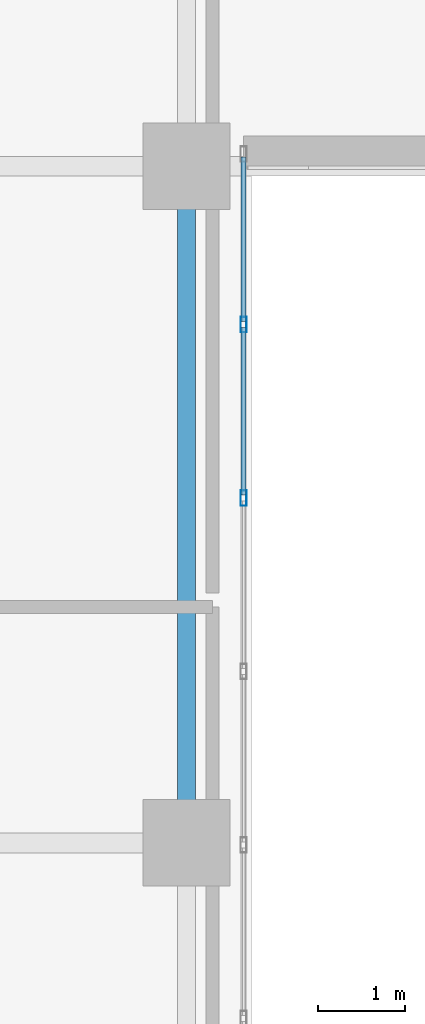
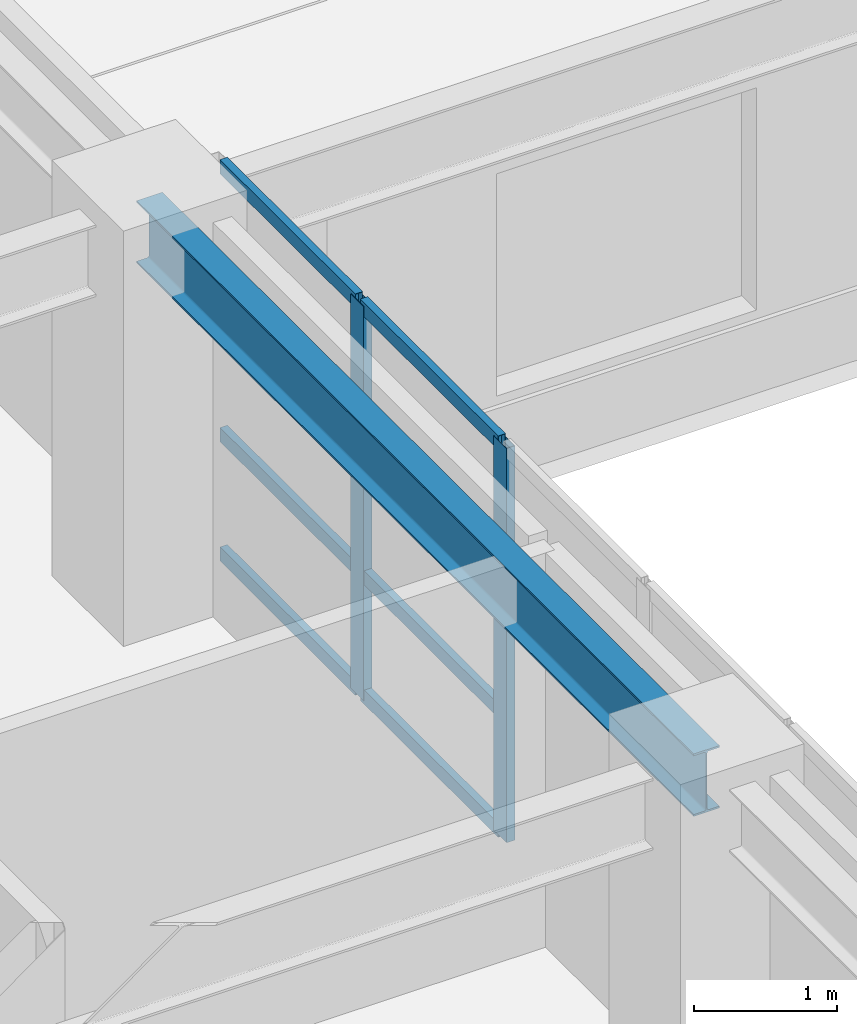
# One storey, part 7 of 37: 8 members, 1 beam, 1 element without a shape of its own.
"""IFC4 building model written with IfcOpenShell, lengths in metres."""

from ifc_helpers import new_model, si_unit, direction, frame, origin, origin_2d, place, context, subcontext, project, spatial, hollow_rectangle, i_section, extrude, source, transform, mapped, material, layer, layer_set, material_profile, profile_set, type_object, type_shapes, element, aggregate, save


model = new_model("IFC4")

# Units and contexts
model_context = context("Model", 3, precision=1e-05, world=origin(), true_north=direction((0.0, 1.0)))
body_context = subcontext(model_context, "Body", "Model", "MODEL_VIEW")
ifc_project = project(units=[si_unit("LENGTHUNIT", "METRE"), si_unit("AREAUNIT", "SQUARE_METRE"), si_unit("VOLUMEUNIT", "CUBIC_METRE"), si_unit("PLANEANGLEUNIT", "RADIAN"), si_unit("MASSUNIT", "GRAM", prefix="KILO")], contexts=[model_context])

# Site, building, storey
site_placement = place(None, origin())
site = spatial("IfcSite", under=ifc_project, at=site_placement, CompositionType="ELEMENT")
building_placement = place(site_placement, origin())
building = spatial("IfcBuilding", under=site, at=building_placement, Name="Tolvann Quenvar Hotel", CompositionType="ELEMENT")
storey_placement = place(building_placement, frame((0.0, 0.0, 53.300048828125)))
storey = spatial("IfcBuildingStorey", under=building, at=storey_placement, Name="L12", CompositionType="ELEMENT", Elevation=53.300048828125)

# Beam
ifc_material_1 = material(Name="Steel Grade 350", Category="steel")
ifc_material_profile_1 = material_profile(ifc_material_1, i_section(OverallWidth=0.208984375, OverallDepth=0.532958984375, WebThickness=0.01025390625, FlangeThickness=0.015625, FilletRadius=0.013916015625, at=origin_2d()), Name="530UB92")
ifc_profile_set_1 = profile_set([ifc_material_profile_1], Name="Steel Grade 350")
beam_type = type_object("IfcBeamType", Name="BM_GIRD_530UB92", PredefinedType="BEAM", material=ifc_profile_set_1)
shared_shape_1 = source(origin(), body_context, "Body", "SweptSolid", [
    extrude(i_section(OverallWidth=0.208984375, OverallDepth=0.532958984375, WebThickness=0.01025390625, FlangeThickness=0.015625, FilletRadius=0.013916015625, at=origin_2d()), origin(), (0.0, 0.0, 1.0), 7.800048828125),
])
type_shapes(beam_type, [shared_shape_1])
beam_placement = place(storey_placement, frame((22.050048828125, 8.199951171875, 3.103515625), z_axis=(0.0, 1.0, 0.0), x_axis=(-1.0, 0.0, 0.0)))
element("IfcBeam", 1, at=beam_placement, inside=storey, type_object=beam_type, Name="BM-L12-NS-E3-E4", PredefinedType="BEAM", context=body_context, shape_type="MappedRepresentation", body=[
    mapped(shared_shape_1, transform((0.0, 0.0, 0.0), x_axis=(1.0, 0.0, 0.0), y_axis=(0.0, 1.0, 0.0), z_axis=(0.0, 0.0, 1.0), scale=1.0)),
])

# Curtain wall, members
ifc_material_2 = material(Name="Thermally broken anodised architectural aluminium 6063-T6 and laminated low-E glass", Category="aluminium")
ifc_layer = layer(ifc_material_2, 0.179931640625)
ifc_layer_set = layer_set([ifc_layer], Name="Thermally broken anodised architectural aluminium 6063-T6 and laminated low-E glass")
curtain_wall_type = type_object("IfcCurtainWallType", Name="CW_SYS_SLOT_03", PredefinedType="USERDEFINED", material=ifc_layer_set)
curtain_wall_placement = place(storey_placement, origin())
curtain_wall = element("IfcCurtainWall", 2, at=curtain_wall_placement, inside=storey, type_object=curtain_wall_type, Name="Curtain Wall CW-SLOT-03 (CWR-L12-E05)", ObjectType="UNITISED CURTAIN WALL", PredefinedType="USERDEFINED")
ifc_material_3 = material(Name="Anodised architectural aluminium 6063-T6 framing", Category="aluminium")
ifc_material_profile_2 = material_profile(ifc_material_3, hollow_rectangle(XDim=0.06005859375, YDim=0.1201171875, WallThickness=0.00341796875, at=origin_2d()), Name="120x60x3.5RHS")
ifc_profile_set_2 = profile_set([ifc_material_profile_2], Name="Anodised architectural aluminium 6063-T6 framing")
member_type_1 = type_object("IfcMemberType", Name="CW_TRAN_120x60", PredefinedType="USERDEFINED", material=ifc_profile_set_2)
shared_shape_2 = source(origin(), body_context, "Body", "SweptSolid", [
    extrude(hollow_rectangle(XDim=0.06005859375, YDim=0.1201171875, WallThickness=0.00341796875, at=origin_2d()), origin(), (0.0, 0.0, 1.0), 1.929931640625),
])
member_1_placement = place(storey_placement, frame((22.7099609375, 12.2099609375, 0.030029296875), z_axis=(0.0, 1.0, 0.0), x_axis=(-1.0, 0.0, 0.0)))
member_1 = element("IfcMember", 3, at=member_1_placement, type_object=member_type_1, Name="CW-SLOT-03 transom 7.1", ObjectType="TRANSOM", PredefinedType="USERDEFINED", context=body_context, shape_type="MappedRepresentation", body=[
    mapped(shared_shape_2, transform((0.0, 0.0, 0.0), x_axis=(1.0, 0.0, 0.0), y_axis=(0.0, 1.0, 0.0), z_axis=(0.0, 0.0, 1.0), scale=1.0)),
])
member_2_placement = place(storey_placement, frame((22.7099609375, 12.2099609375, 1.050048828125), z_axis=(0.0, 1.0, 0.0), x_axis=(-1.0, 0.0, 0.0)))
member_2 = element("IfcMember", 4, at=member_2_placement, type_object=member_type_1, Name="CW-SLOT-03 transom 7.2", ObjectType="TRANSOM", PredefinedType="USERDEFINED", context=body_context, shape_type="MappedRepresentation", body=[
    mapped(shared_shape_2, transform((0.0, 0.0, 0.0), x_axis=(1.0, 0.0, 0.0), y_axis=(0.0, 1.0, 0.0), z_axis=(0.0, 0.0, 1.0), scale=1.0)),
])
member_3_placement = place(storey_placement, frame((22.7099609375, 12.2099609375, 3.33984375), z_axis=(0.0, 1.0, 0.0), x_axis=(-1.0, 0.0, 0.0)))
member_3 = element("IfcMember", 5, at=member_3_placement, type_object=member_type_1, Name="CW-SLOT-03 transom 7.3", ObjectType="TRANSOM", PredefinedType="USERDEFINED", context=body_context, shape_type="MappedRepresentation", body=[
    mapped(shared_shape_2, transform((0.0, 0.0, 0.0), x_axis=(1.0, 0.0, 0.0), y_axis=(0.0, 1.0, 0.0), z_axis=(0.0, 0.0, 1.0), scale=1.0)),
])
shared_shape_3 = source(origin(), body_context, "Body", "SweptSolid", [
    extrude(hollow_rectangle(XDim=0.06005859375, YDim=0.1201171875, WallThickness=0.00341796875, at=origin_2d()), origin(), (0.0, 0.0, 1.0), 1.89501953125),
])
type_shapes(member_type_1, [shared_shape_2, shared_shape_3])
member_4_placement = place(storey_placement, frame((22.7099609375, 14.2099609375, 0.030029296875), z_axis=(0.0, 1.0, 0.0), x_axis=(-1.0, 0.0, 0.0)))
member_4 = element("IfcMember", 6, at=member_4_placement, type_object=member_type_1, Name="CW-SLOT-03 transom 8.1", ObjectType="TRANSOM", PredefinedType="USERDEFINED", context=body_context, shape_type="MappedRepresentation", body=[
    mapped(shared_shape_3, transform((0.0, 0.0, 0.0), x_axis=(1.0, 0.0, 0.0), y_axis=(0.0, 1.0, 0.0), z_axis=(0.0, 0.0, 1.0), scale=1.0)),
])
member_5_placement = place(storey_placement, frame((22.7099609375, 14.2099609375, 1.050048828125), z_axis=(0.0, 1.0, 0.0), x_axis=(-1.0, 0.0, 0.0)))
member_5 = element("IfcMember", 7, at=member_5_placement, type_object=member_type_1, Name="CW-SLOT-03 transom 8.2", ObjectType="TRANSOM", PredefinedType="USERDEFINED", context=body_context, shape_type="MappedRepresentation", body=[
    mapped(shared_shape_3, transform((0.0, 0.0, 0.0), x_axis=(1.0, 0.0, 0.0), y_axis=(0.0, 1.0, 0.0), z_axis=(0.0, 0.0, 1.0), scale=1.0)),
])
member_6_placement = place(storey_placement, frame((22.7099609375, 14.2099609375, 3.33984375), z_axis=(0.0, 1.0, 0.0), x_axis=(-1.0, 0.0, 0.0)))
member_6 = element("IfcMember", 8, at=member_6_placement, type_object=member_type_1, Name="CW-SLOT-03 transom 8.3", ObjectType="TRANSOM", PredefinedType="USERDEFINED", context=body_context, shape_type="MappedRepresentation", body=[
    mapped(shared_shape_3, transform((0.0, 0.0, 0.0), x_axis=(1.0, 0.0, 0.0), y_axis=(0.0, 1.0, 0.0), z_axis=(0.0, 0.0, 1.0), scale=1.0)),
])
ifc_material_profile_3 = material_profile(ifc_material_3, hollow_rectangle(XDim=0.070068359375, YDim=0.179931640625, WallThickness=0.00390625, at=origin_2d()), Name="180x70x4RHS")
ifc_profile_set_3 = profile_set([ifc_material_profile_3], Name="Anodised architectural aluminium 6063-T6 framing")
member_type_2 = type_object("IfcMemberType", Name="CW_MULL_180x70", PredefinedType="MULLION", material=ifc_profile_set_3)
shared_shape_4 = source(origin(), body_context, "Body", "SweptSolid", [
    extrude(hollow_rectangle(XDim=0.070068359375, YDim=0.179931640625, WallThickness=0.00390625, at=origin_2d()), origin(), (0.0, 0.0, 1.0), 3.369873046875),
])
type_shapes(member_type_2, [shared_shape_4])
member_7_placement = place(storey_placement, frame((22.7099609375, 12.175048828125, 0.0), z_axis=(0.0, 0.0, 1.0), x_axis=(-1.0, 0.0, 0.0)))
member_7 = element("IfcMember", 9, at=member_7_placement, type_object=member_type_2, Name="CW-SLOT-03 mullion 7", PredefinedType="MULLION", context=body_context, shape_type="MappedRepresentation", body=[
    mapped(shared_shape_4, transform((0.0, 0.0, 0.0), x_axis=(1.0, 0.0, 0.0), y_axis=(0.0, 1.0, 0.0), z_axis=(0.0, 0.0, 1.0), scale=1.0)),
])
member_8_placement = place(storey_placement, frame((22.7099609375, 14.175048828125, 0.0), z_axis=(0.0, 0.0, 1.0), x_axis=(-1.0, 0.0, 0.0)))
member_8 = element("IfcMember", 10, at=member_8_placement, type_object=member_type_2, Name="CW-SLOT-03 mullion 8", PredefinedType="MULLION", context=body_context, shape_type="MappedRepresentation", body=[
    mapped(shared_shape_4, transform((0.0, 0.0, 0.0), x_axis=(1.0, 0.0, 0.0), y_axis=(0.0, 1.0, 0.0), z_axis=(0.0, 0.0, 1.0), scale=1.0)),
])
aggregate(curtain_wall, [member_7, member_8, member_1, member_2, member_3, member_4, member_5, member_6])

save(model, "model.ifc")
